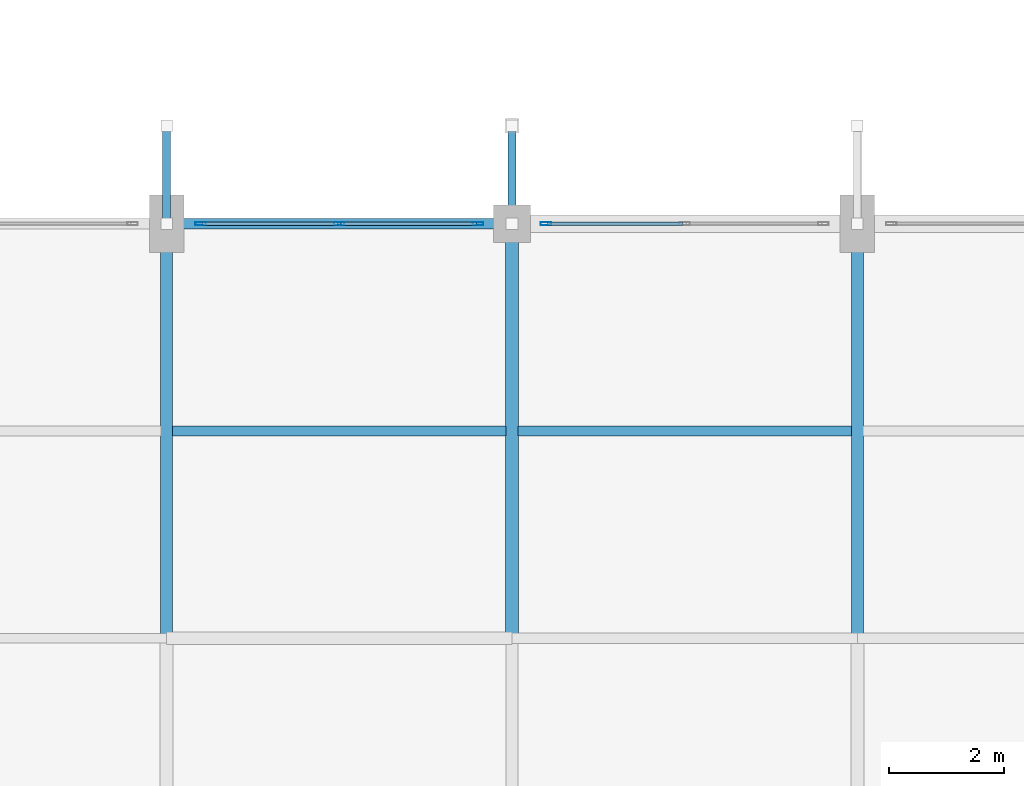
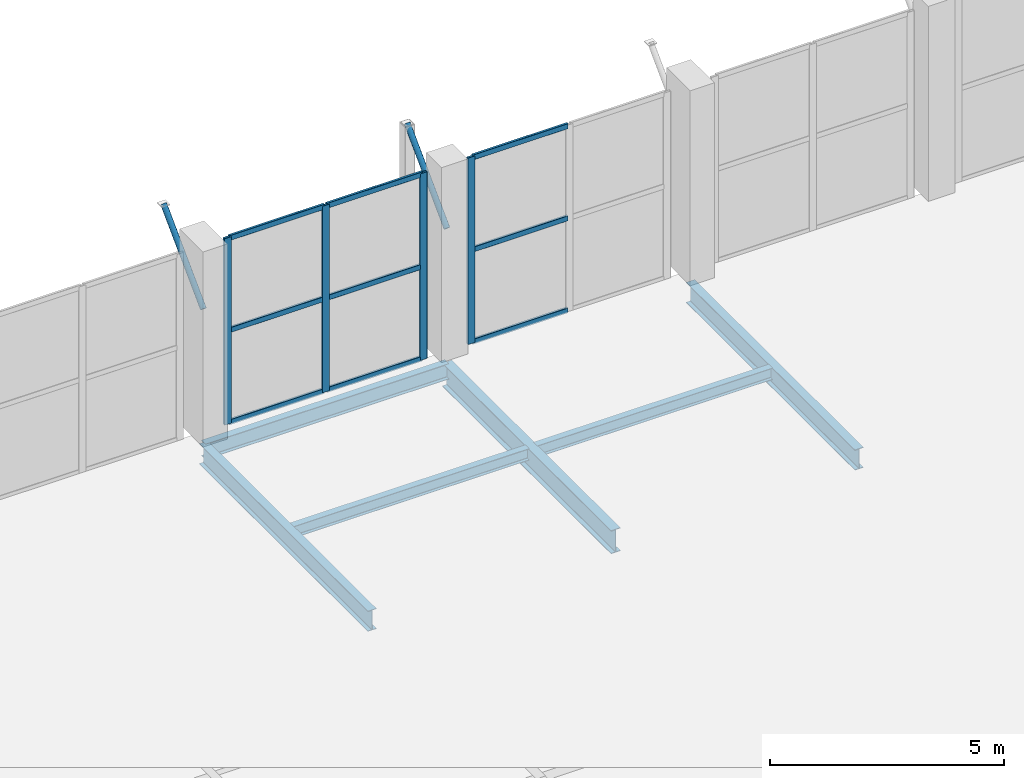
# One storey, part 49 of 127: 15 members, 6 beams, 2 elements without a shape of their own.
"""IFC4 building model written with IfcOpenShell, lengths in metres."""

from ifc_helpers import new_model, si_unit, direction, frame, origin, origin_2d, place, context, subcontext, project, spatial, hollow_rectangle, hollow_circle, i_section, extrude, material, layer, layer_set, material_profile, profile_set, type_object, element, aggregate, save


model = new_model("IFC4")

# Units and contexts
model_context = context("Model", 3, precision=1e-05, world=origin(), true_north=direction((0.0, 1.0)))
body_context = subcontext(model_context, "Body", "Model", "MODEL_VIEW")
ifc_project = project(units=[si_unit("LENGTHUNIT", "METRE"), si_unit("AREAUNIT", "SQUARE_METRE"), si_unit("VOLUMEUNIT", "CUBIC_METRE"), si_unit("PLANEANGLEUNIT", "RADIAN"), si_unit("MASSUNIT", "GRAM", prefix="KILO")], contexts=[model_context])

# Site, building, storey
site_placement = place(None, origin())
site = spatial("IfcSite", under=ifc_project, at=site_placement, CompositionType="ELEMENT")
building_placement = place(site_placement, origin())
building = spatial("IfcBuilding", under=site, at=building_placement, Name="Dunvalen Ferry Terminal", CompositionType="ELEMENT")
storey_placement = place(building_placement, frame((0.0, 0.0, 5.760009765625)))
storey = spatial("IfcBuildingStorey", under=building, at=storey_placement, Name="L01", CompositionType="ELEMENT", Elevation=5.760009765625)

# Curtain wall, members
ifc_material_1 = material(Name="Anodised marine aluminium and solar-control glazing", Category="aluminium")
ifc_layer = layer(ifc_material_1, 0.219970703125, Name="Anodised marine aluminium and solar-control glazing")
ifc_layer_set = layer_set([ifc_layer], Name="Anodised marine aluminium and solar-control glazing")
curtain_wall_type = type_object("IfcCurtainWallType", Name="ENV-CW-SYS-02", PredefinedType="NOTDEFINED", material=ifc_layer_set)
curtain_wall_1_placement = place(storey_placement, origin())
curtain_wall_1 = element("IfcCurtainWall", 1, at=curtain_wall_1_placement, inside=storey, type_object=curtain_wall_type, Name="L01 Curtain Wall CW-V1N-L01-07", PredefinedType="NOTDEFINED")
ifc_material_2 = material(Name="Anodised marine aluminium EN AW-6063 T6", Category="aluminium")
ifc_material_profile_1 = material_profile(ifc_material_2, hollow_rectangle(XDim=0.06005859375, YDim=0.179931640625, WallThickness=0.00341796875, InnerFilletRadius=0.00341796875, OuterFilletRadius=0.007080078125, at=origin_2d()), Name="Anodised marine aluminium EN AW-6063 T6")
ifc_profile_set_1 = profile_set([ifc_material_profile_1], Name="Anodised marine aluminium EN AW-6063 T6")
member_type_1 = type_object("IfcMemberType", Name="ENV-CW-MUL-2", PredefinedType="MULLION", material=ifc_profile_set_1)
member_1_placement = place(storey_placement, frame((48.590087890625, 86.39990234375, 0.0), z_axis=(0.0, 0.0, 1.0), x_axis=(0.0, 1.0, 0.0)))
member_1 = element("IfcMember", 2, at=member_1_placement, type_object=member_type_1, Name="CW-02 mullion 1", PredefinedType="MULLION", context=body_context, shape_type="SweptSolid", body=[
    extrude(hollow_rectangle(XDim=0.06005859375, YDim=0.179931640625, WallThickness=0.00341796875, InnerFilletRadius=0.00341796875, OuterFilletRadius=0.007080078125, at=origin_2d()), origin(), (0.0, 0.0, 1.0), 4.860107421875),
])
member_2_placement = place(storey_placement, frame((51.0, 86.39990234375, 0.0), z_axis=(0.0, 0.0, 1.0), x_axis=(0.0, 1.0, 0.0)))
member_2 = element("IfcMember", 3, at=member_2_placement, type_object=member_type_1, Name="CW-02 mullion 2", PredefinedType="MULLION", context=body_context, shape_type="SweptSolid", body=[
    extrude(hollow_rectangle(XDim=0.06005859375, YDim=0.179931640625, WallThickness=0.00341796875, InnerFilletRadius=0.00341796875, OuterFilletRadius=0.007080078125, at=origin_2d()), origin(), (0.0, 0.0, 1.0), 4.860107421875),
])
member_3_placement = place(storey_placement, frame((53.409912109375, 86.39990234375, 0.0), z_axis=(0.0, 0.0, 1.0), x_axis=(0.0, 1.0, 0.0)))
member_3 = element("IfcMember", 4, at=member_3_placement, type_object=member_type_1, Name="CW-02 mullion 3", PredefinedType="MULLION", context=body_context, shape_type="SweptSolid", body=[
    extrude(hollow_rectangle(XDim=0.06005859375, YDim=0.179931640625, WallThickness=0.00341796875, InnerFilletRadius=0.00341796875, OuterFilletRadius=0.007080078125, at=origin_2d()), origin(), (0.0, 0.0, 1.0), 4.860107421875),
])

# Curtain wall, member
curtain_wall_2_placement = place(storey_placement, origin())
curtain_wall_2 = element("IfcCurtainWall", 5, at=curtain_wall_2_placement, inside=storey, type_object=curtain_wall_type, Name="L01 Curtain Wall CW-V1N-L01-08", PredefinedType="NOTDEFINED")
member_4_placement = place(storey_placement, frame((54.590087890625, 86.39990234375, 0.0), z_axis=(0.0, 0.0, 1.0), x_axis=(0.0, 1.0, 0.0)))
member_4 = element("IfcMember", 6, at=member_4_placement, type_object=member_type_1, Name="CW-02 mullion 1", PredefinedType="MULLION", context=body_context, shape_type="SweptSolid", body=[
    extrude(hollow_rectangle(XDim=0.06005859375, YDim=0.179931640625, WallThickness=0.00341796875, InnerFilletRadius=0.00341796875, OuterFilletRadius=0.007080078125, at=origin_2d()), origin(), (0.0, 0.0, 1.0), 4.860107421875),
])

# Member
ifc_material_profile_2 = material_profile(ifc_material_2, hollow_rectangle(XDim=0.06005859375, YDim=0.135009765625, WallThickness=0.003173828125, InnerFilletRadius=0.003173828125, OuterFilletRadius=0.00634765625, at=origin_2d()), Name="Anodised marine aluminium EN AW-6063 T6")
ifc_profile_set_2 = profile_set([ifc_material_profile_2], Name="Anodised marine aluminium EN AW-6063 T6")
member_type_2 = type_object("IfcMemberType", Name="ENV-CW-TRN-2", PredefinedType="USERDEFINED", material=ifc_profile_set_2)
member_5_placement = place(storey_placement, frame((48.6201171875, 86.39990234375, 0.030029296875), z_axis=(1.0, 0.0, 0.0), x_axis=(0.0, 1.0, 0.0)))
member_5 = element("IfcMember", 7, at=member_5_placement, type_object=member_type_2, Name="CW-02 transom 1.1", ObjectType="TRANSOM", PredefinedType="USERDEFINED", context=body_context, shape_type="SweptSolid", body=[
    extrude(hollow_rectangle(XDim=0.06005859375, YDim=0.135009765625, WallThickness=0.003173828125, InnerFilletRadius=0.003173828125, OuterFilletRadius=0.00634765625, at=origin_2d()), origin(), (0.0, 0.0, 1.0), 2.349853515625),
])

member_6_placement = place(storey_placement, frame((48.6201171875, 86.39990234375, 2.429931640625), z_axis=(1.0, 0.0, 0.0), x_axis=(0.0, 1.0, 0.0)))
member_6 = element("IfcMember", 8, at=member_6_placement, type_object=member_type_2, Name="CW-02 transom 1.2", ObjectType="TRANSOM", PredefinedType="USERDEFINED", context=body_context, shape_type="SweptSolid", body=[
    extrude(hollow_rectangle(XDim=0.06005859375, YDim=0.135009765625, WallThickness=0.003173828125, InnerFilletRadius=0.003173828125, OuterFilletRadius=0.00634765625, at=origin_2d()), origin(), (0.0, 0.0, 1.0), 2.349853515625),
])

member_7_placement = place(storey_placement, frame((48.6201171875, 86.39990234375, 4.830078125), z_axis=(1.0, 0.0, 0.0), x_axis=(0.0, 1.0, 0.0)))
member_7 = element("IfcMember", 9, at=member_7_placement, type_object=member_type_2, Name="CW-02 transom 1.3", ObjectType="TRANSOM", PredefinedType="USERDEFINED", context=body_context, shape_type="SweptSolid", body=[
    extrude(hollow_rectangle(XDim=0.06005859375, YDim=0.135009765625, WallThickness=0.003173828125, InnerFilletRadius=0.003173828125, OuterFilletRadius=0.00634765625, at=origin_2d()), origin(), (0.0, 0.0, 1.0), 2.349853515625),
])

member_8_placement = place(storey_placement, frame((51.030029296875, 86.39990234375, 0.030029296875), z_axis=(1.0, 0.0, 0.0), x_axis=(0.0, 1.0, 0.0)))
member_8 = element("IfcMember", 10, at=member_8_placement, type_object=member_type_2, Name="CW-02 transom 2.1", ObjectType="TRANSOM", PredefinedType="USERDEFINED", context=body_context, shape_type="SweptSolid", body=[
    extrude(hollow_rectangle(XDim=0.06005859375, YDim=0.135009765625, WallThickness=0.003173828125, InnerFilletRadius=0.003173828125, OuterFilletRadius=0.00634765625, at=origin_2d()), origin(), (0.0, 0.0, 1.0), 2.349853515625),
])

member_9_placement = place(storey_placement, frame((51.030029296875, 86.39990234375, 2.429931640625), z_axis=(1.0, 0.0, 0.0), x_axis=(0.0, 1.0, 0.0)))
member_9 = element("IfcMember", 11, at=member_9_placement, type_object=member_type_2, Name="CW-02 transom 2.2", ObjectType="TRANSOM", PredefinedType="USERDEFINED", context=body_context, shape_type="SweptSolid", body=[
    extrude(hollow_rectangle(XDim=0.06005859375, YDim=0.135009765625, WallThickness=0.003173828125, InnerFilletRadius=0.003173828125, OuterFilletRadius=0.00634765625, at=origin_2d()), origin(), (0.0, 0.0, 1.0), 2.349853515625),
])

member_10_placement = place(storey_placement, frame((51.030029296875, 86.39990234375, 4.830078125), z_axis=(1.0, 0.0, 0.0), x_axis=(0.0, 1.0, 0.0)))
member_10 = element("IfcMember", 12, at=member_10_placement, type_object=member_type_2, Name="CW-02 transom 2.3", ObjectType="TRANSOM", PredefinedType="USERDEFINED", context=body_context, shape_type="SweptSolid", body=[
    extrude(hollow_rectangle(XDim=0.06005859375, YDim=0.135009765625, WallThickness=0.003173828125, InnerFilletRadius=0.003173828125, OuterFilletRadius=0.00634765625, at=origin_2d()), origin(), (0.0, 0.0, 1.0), 2.349853515625),
])

aggregate(curtain_wall_1, [member_1, member_2, member_3, member_5, member_6, member_7, member_8, member_9, member_10])

member_11_placement = place(storey_placement, frame((54.6201171875, 86.39990234375, 0.030029296875), z_axis=(1.0, 0.0, 0.0), x_axis=(0.0, 1.0, 0.0)))
member_11 = element("IfcMember", 13, at=member_11_placement, type_object=member_type_2, Name="CW-02 transom 1.1", ObjectType="TRANSOM", PredefinedType="USERDEFINED", context=body_context, shape_type="SweptSolid", body=[
    extrude(hollow_rectangle(XDim=0.06005859375, YDim=0.135009765625, WallThickness=0.003173828125, InnerFilletRadius=0.003173828125, OuterFilletRadius=0.00634765625, at=origin_2d()), origin(), (0.0, 0.0, 1.0), 2.349853515625),
])

member_12_placement = place(storey_placement, frame((54.6201171875, 86.39990234375, 2.429931640625), z_axis=(1.0, 0.0, 0.0), x_axis=(0.0, 1.0, 0.0)))
member_12 = element("IfcMember", 14, at=member_12_placement, type_object=member_type_2, Name="CW-02 transom 1.2", ObjectType="TRANSOM", PredefinedType="USERDEFINED", context=body_context, shape_type="SweptSolid", body=[
    extrude(hollow_rectangle(XDim=0.06005859375, YDim=0.135009765625, WallThickness=0.003173828125, InnerFilletRadius=0.003173828125, OuterFilletRadius=0.00634765625, at=origin_2d()), origin(), (0.0, 0.0, 1.0), 2.349853515625),
])

member_13_placement = place(storey_placement, frame((54.6201171875, 86.39990234375, 4.830078125), z_axis=(1.0, 0.0, 0.0), x_axis=(0.0, 1.0, 0.0)))
member_13 = element("IfcMember", 15, at=member_13_placement, type_object=member_type_2, Name="CW-02 transom 1.3", ObjectType="TRANSOM", PredefinedType="USERDEFINED", context=body_context, shape_type="SweptSolid", body=[
    extrude(hollow_rectangle(XDim=0.06005859375, YDim=0.135009765625, WallThickness=0.003173828125, InnerFilletRadius=0.003173828125, OuterFilletRadius=0.00634765625, at=origin_2d()), origin(), (0.0, 0.0, 1.0), 2.349853515625),
])

aggregate(curtain_wall_2, [member_4, member_11, member_12, member_13])

# Beams
ifc_material_3 = material(Name="Steel S355", Category="steel")
ifc_material_profile_3 = material_profile(ifc_material_3, i_section(OverallWidth=0.1650390625, OverallDepth=0.303466796875, WebThickness=0.006103515625, FlangeThickness=0.01025390625, FilletRadius=0.0087890625, at=origin_2d()), Name="Steel S355")
ifc_profile_set_3 = profile_set([ifc_material_profile_3], Name="Steel S355")
beam_type_1 = type_object("IfcBeamType", Name="STR-BM-UKB305", PredefinedType="JOIST", material=ifc_profile_set_3)
for number, where, z_axis, x_axis, name in (
    (16, (48.10009765625, 82.800048828125, -0.431640625), (1.0, 0.0, 0.0), (0.0, 1.0, 0.0), "L01 V1M Secondary Joist 019"),
    (17, (54.10009765625, 82.800048828125, -0.431640625), (1.0, 0.0, 0.0), (0.0, 1.0, 0.0), "L01 V1M Secondary Joist 021"),
):
    element("IfcBeam", number, at=place(storey_placement, frame(where, z_axis=z_axis, x_axis=x_axis)), inside=storey, type_object=beam_type_1, Name=name, PredefinedType="JOIST", context=body_context, shape_type="SweptSolid", body=[
        extrude(i_section(OverallWidth=0.1650390625, OverallDepth=0.303466796875, WebThickness=0.006103515625, FlangeThickness=0.01025390625, FilletRadius=0.0087890625, at=origin_2d()), origin(), (0.0, 0.0, 1.0), 5.7998046875),
    ])
ifc_material_profile_4 = material_profile(ifc_material_3, i_section(OverallWidth=0.177978515625, OverallDepth=0.406494140625, WebThickness=0.0078125, FlangeThickness=0.0126953125, FilletRadius=0.01025390625, at=origin_2d()), Name="Steel S355")
ifc_profile_set_4 = profile_set([ifc_material_profile_4], Name="Steel S355")
beam_type_2 = type_object("IfcBeamType", Name="STR-BM-UKB406", PredefinedType="JOIST", material=ifc_profile_set_4)
beam_1_placement = place(storey_placement, frame((48.0, 86.39990234375, -0.483154296875), z_axis=(1.0, 0.0, 0.0), x_axis=(0.0, 1.0, 0.0)))
element("IfcBeam", 18, at=beam_1_placement, inside=storey, type_object=beam_type_2, Name="L01 V1M Primary Beam X-068", PredefinedType="JOIST", context=body_context, shape_type="SweptSolid", body=[
    extrude(i_section(OverallWidth=0.177978515625, OverallDepth=0.406494140625, WebThickness=0.0078125, FlangeThickness=0.0126953125, FilletRadius=0.01025390625, at=origin_2d()), origin(), (0.0, 0.0, 1.0), 6.0),
])
ifc_material_profile_5 = material_profile(ifc_material_3, i_section(OverallWidth=0.209228515625, OverallDepth=0.533203125, WebThickness=0.010009765625, FlangeThickness=0.015625, FilletRadius=0.0126953125, at=origin_2d()), Name="Steel S355")
ifc_profile_set_5 = profile_set([ifc_material_profile_5], Name="Steel S355")
beam_type_3 = type_object("IfcBeamType", Name="STR-BM-UKB533", PredefinedType="BEAM", material=ifc_profile_set_5)
for number, where, z_axis, x_axis, name in (
    (19, (48.0, 79.199951171875, -0.546630859375), (0.0, 1.0, 0.0), (-1.0, 0.0, 0.0), "L01 V1M Primary Girder Y-109"),
    (20, (60.0, 79.199951171875, -0.546630859375), (0.0, 1.0, 0.0), (-1.0, 0.0, 0.0), "L01 V1M Primary Girder Y-115"),
):
    element("IfcBeam", number, at=place(storey_placement, frame(where, z_axis=z_axis, x_axis=x_axis)), inside=storey, type_object=beam_type_3, Name=name, PredefinedType="BEAM", context=body_context, shape_type="SweptSolid", body=[
        extrude(i_section(OverallWidth=0.209228515625, OverallDepth=0.533203125, WebThickness=0.010009765625, FlangeThickness=0.015625, FilletRadius=0.0126953125, at=origin_2d()), origin(), (0.0, 0.0, 1.0), 7.199951171875),
    ])
ifc_material_profile_6 = material_profile(ifc_material_3, i_section(OverallWidth=0.228271484375, OverallDepth=0.607666015625, WebThickness=0.010986328125, FlangeThickness=0.017333984375, FilletRadius=0.0126953125, at=origin_2d()), Name="Steel S355")
ifc_profile_set_6 = profile_set([ifc_material_profile_6], Name="Steel S355")
beam_type_4 = type_object("IfcBeamType", Name="STR-BM-UKB610", PredefinedType="BEAM", material=ifc_profile_set_6)
beam_2_placement = place(storey_placement, frame((54.0, 79.199951171875, -0.583740234375), z_axis=(0.0, 1.0, 0.0), x_axis=(-1.0, 0.0, 0.0)))
element("IfcBeam", 21, at=beam_2_placement, inside=storey, type_object=beam_type_4, Name="L01 V1M Primary Girder Y-112", PredefinedType="BEAM", context=body_context, shape_type="SweptSolid", body=[
    extrude(i_section(OverallWidth=0.228271484375, OverallDepth=0.607666015625, WebThickness=0.010986328125, FlangeThickness=0.017333984375, FilletRadius=0.0126953125, at=origin_2d()), origin(), (0.0, 0.0, 1.0), 7.199951171875),
])

# Members
ifc_material_profile_7 = material_profile(ifc_material_3, hollow_circle(Radius=0.06982421875, WallThickness=0.00634765625, at=origin_2d()), Name="Steel S355")
ifc_profile_set_7 = profile_set([ifc_material_profile_7], Name="Steel S355")
member_type_3 = type_object("IfcMemberType", Name="STR-MB-CHS139", PredefinedType="BRACE", material=ifc_profile_set_7)
for number, where, z_axis, x_axis, name in (
    (22, (48.0, 86.39990234375, 3.18994140625), (0.0, 0.705078956609, 0.709128807021), (-1.0, 0.0, 0.0), "Departure Hall North Eave Knee Strut 07"),
    (23, (54.0, 86.39990234375, 3.18994140625), (0.0, 0.705078956609, 0.709128807021), (-1.0, 0.0, 0.0), "Departure Hall North Eave Knee Strut 08"),
):
    element("IfcMember", number, at=place(storey_placement, frame(where, z_axis=z_axis, x_axis=x_axis)), inside=storey, type_object=member_type_3, Name=name, PredefinedType="BRACE", context=body_context, shape_type="SweptSolid", body=[
        extrude(hollow_circle(Radius=0.06982421875, WallThickness=0.00634765625, at=origin_2d()), origin(), (0.0, 0.0, 1.0), 2.411376953125),
    ])

save(model, "model.ifc")
